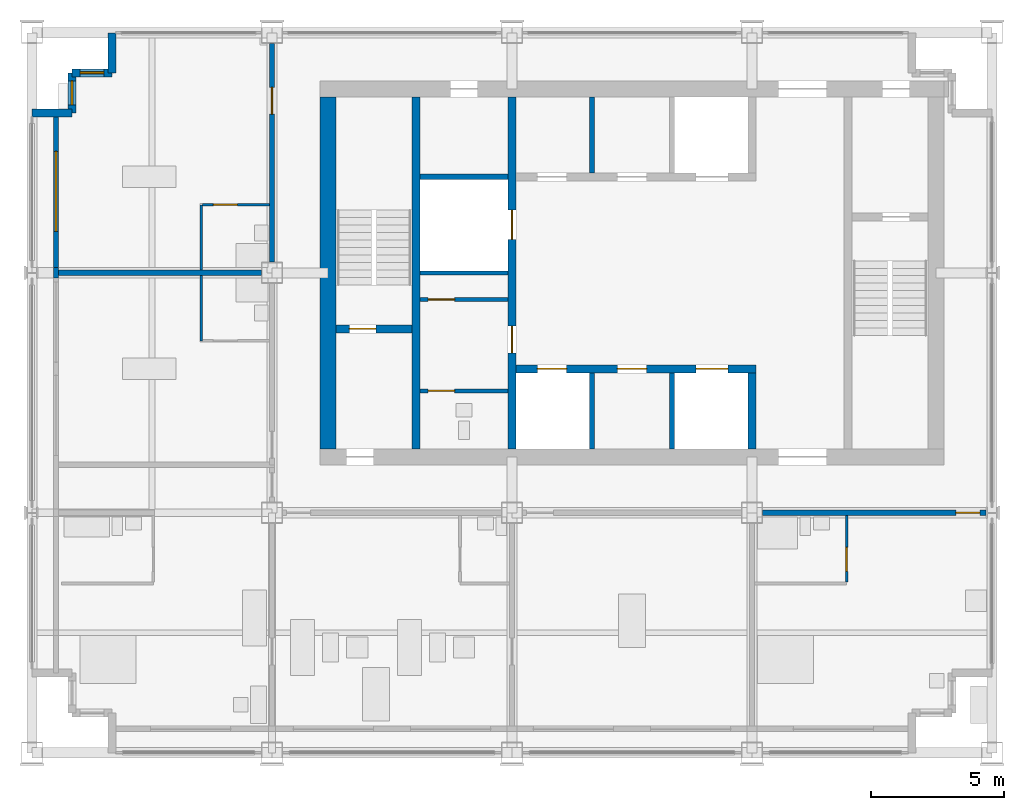
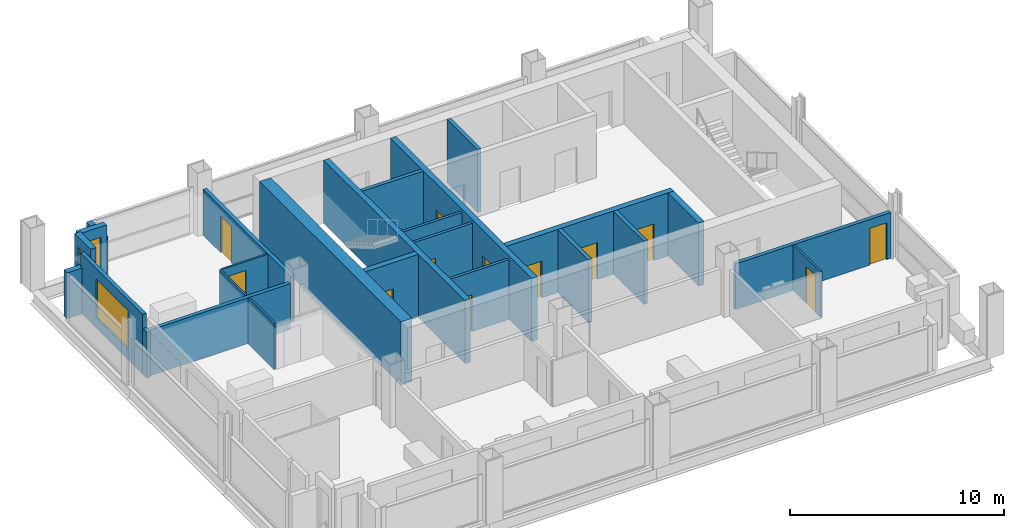
# One storey, part 7 of 11: 26 walls, 12 doors, 3 windows, 15 openings.
"""IFC4 building model written with IfcOpenShell, lengths in metres."""

from ifc_helpers import new_model, si_unit, direction, frame, frame_2d, origin, place, context, subcontext, project, spatial, rectangle, extrude, material, layer, layer_set, type_object, element, fill, save


model = new_model("IFC4")

# Units and contexts
model_context = context("Model", 3, precision=1e-05, world=origin(), true_north=direction((0.0, 1.0)))
body_context = subcontext(model_context, "Body", "Model", "MODEL_VIEW")
ifc_project = project(units=[si_unit("LENGTHUNIT", "METRE"), si_unit("AREAUNIT", "SQUARE_METRE"), si_unit("VOLUMEUNIT", "CUBIC_METRE"), si_unit("PLANEANGLEUNIT", "RADIAN"), si_unit("MASSUNIT", "GRAM", prefix="KILO")], contexts=[model_context])

# Site, building, storey
site_placement = place(None, origin())
site = spatial("IfcSite", under=ifc_project, at=site_placement, CompositionType="ELEMENT")
building_placement = place(site_placement, origin())
building = spatial("IfcBuilding", under=site, at=building_placement, Name="Loomwork Tower", CompositionType="ELEMENT")
storey_placement = place(building_placement, frame((0.0, 0.0, 262.60009765625)))
storey = spatial("IfcBuildingStorey", under=building, at=storey_placement, Name="L72", CompositionType="ELEMENT", Elevation=262.60009765625)

# Wall
ifc_material_1 = material(Name="Concrete 14000 psi (97 MPa)", Category="concrete")
ifc_layer_1 = layer(ifc_material_1, 0.300048828125)
ifc_layer_set_1 = layer_set([ifc_layer_1], Name="Core shear wall 300")
wall_type_1 = type_object("IfcWallType", Name="Core shear wall 300", PredefinedType="SHEAR", material=ifc_layer_set_1)
wall_1_placement = place(storey_placement, frame((14.39990234375, 11.39990234375, 0.0), z_axis=(0.0, 0.0, 1.0), x_axis=(0.0, 1.0, 0.0)))
element("IfcWall", 1, at=wall_1_placement, inside=storey, type_object=wall_type_1, Name="Stair A east wall L72", PredefinedType="SHEAR", context=body_context, shape_type="SweptSolid", body=[
    extrude(rectangle(XDim=13.2001953125, YDim=0.300048828125, at=frame_2d((6.60009765625, 0.0))), origin(), (0.0, 0.0, 1.0), 3.599853515625),
])

# Wall, opening, door
wall_2_placement = place(storey_placement, frame((11.39990234375, 15.89990234375, 0.0), z_axis=(0.0, 0.0, 1.0), x_axis=(1.0, 0.0, 0.0)))
wall_2 = element("IfcWall", 2, at=wall_2_placement, inside=storey, type_object=wall_type_1, Name="Stair A south wall L72", PredefinedType="SHEAR", context=body_context, shape_type="SweptSolid", body=[
    extrude(rectangle(XDim=2.85009765625, YDim=0.300048828125, at=frame_2d((1.425048828125, 0.0))), origin(), (0.0, 0.0, 1.0), 3.599853515625),
])
opening_1_placement = place(wall_2_placement, frame((0.5, 0.0, 0.0)))
opening_1 = element("IfcOpeningElement", 3, at=opening_1_placement, cuts=wall_2, Name="Opening D4", PredefinedType="OPENING", context=body_context, shape_type="SweptSolid", body=[
    extrude(rectangle(XDim=1.0, YDim=2.10009765625, at=frame_2d((0.5, 1.050048828125))), frame((0.0, 0.159912109375, 0.0), z_axis=(0.0, -1.0, 0.0), x_axis=(1.0, 0.0, 0.0)), (0.0, 0.0, 1.0), 0.320068359375),
])
ifc_material_2 = material(Name="Hollow metal door and frame")
door_type_1 = type_object("IfcDoorType", Name="Stair door 1000", OperationType="SINGLE_SWING_RIGHT", PredefinedType="DOOR", material=ifc_material_2)
door_1_placement = place(opening_1_placement, origin())
door_1 = element("IfcDoor", 4, at=door_1_placement, inside=storey, type_object=door_type_1, Name="Stair A door", OperationType="SINGLE_SWING_LEFT", OverallHeight=2.10009765625, OverallWidth=1.0, PredefinedType="DOOR", context=body_context, shape_type="SweptSolid", body=[
    extrude(rectangle(XDim=1.0, YDim=2.10009765625, at=frame_2d((0.5, 1.050048828125))), frame((0.0, 0.02490234375, 0.0), z_axis=(0.0, -1.0, 0.0), x_axis=(1.0, 0.0, 0.0)), (0.0, 0.0, 1.0), 0.050048828125),
])
fill(opening_1, door_1)

# Wall, openings, doors
wall_3_placement = place(storey_placement, frame((18.0, 11.39990234375, 0.0), z_axis=(0.0, 0.0, 1.0), x_axis=(0.0, 1.0, 0.0)))
wall_3 = element("IfcWall", 5, at=wall_3_placement, inside=storey, type_object=wall_type_1, Name="Lobby west wall L72", PredefinedType="SHEAR", context=body_context, shape_type="SweptSolid", body=[
    extrude(rectangle(XDim=13.2001953125, YDim=0.300048828125, at=frame_2d((6.60009765625, 0.0))), origin(), (0.0, 0.0, 1.0), 3.599853515625),
])
opening_2_placement = place(wall_3_placement, frame((3.60009765625, 0.0, 0.0)))
opening_2 = element("IfcOpeningElement", 6, at=opening_2_placement, cuts=wall_3, Name="Opening D5", PredefinedType="OPENING", context=body_context, shape_type="SweptSolid", body=[
    extrude(rectangle(XDim=1.0, YDim=2.10009765625, at=frame_2d((0.5, 1.050048828125))), frame((0.0, 0.159912109375, 0.0), z_axis=(0.0, -1.0, 0.0), x_axis=(1.0, 0.0, 0.0)), (0.0, 0.0, 1.0), 0.320068359375),
])
opening_3_placement = place(wall_3_placement, frame((7.85009765625, 0.0, 0.0)))
opening_3 = element("IfcOpeningElement", 7, at=opening_3_placement, cuts=wall_3, Name="Opening LD1", PredefinedType="OPENING", context=body_context, shape_type="SweptSolid", body=[
    extrude(rectangle(XDim=1.10009765625, YDim=2.10009765625, at=frame_2d((0.550048828125, 1.050048828125))), frame((0.0, 0.159912109375, 0.0), z_axis=(0.0, -1.0, 0.0), x_axis=(1.0, 0.0, 0.0)), (0.0, 0.0, 1.0), 0.320068359375),
])
ifc_material_3 = material(Name="Hollow metal door and frame")
door_type_2 = type_object("IfcDoorType", Name="Lift landing door 1100", OperationType="SLIDING_TO_LEFT", PredefinedType="DOOR", material=ifc_material_3)
door_2_placement = place(opening_3_placement, origin())
door_2 = element("IfcDoor", 8, at=door_2_placement, inside=storey, type_object=door_type_2, Name="Lift landing door LC2", OperationType="SLIDING_TO_LEFT", OverallHeight=2.10009765625, OverallWidth=1.10009765625, PredefinedType="DOOR", context=body_context, shape_type="SweptSolid", body=[
    extrude(rectangle(XDim=1.10009765625, YDim=2.10009765625, at=frame_2d((0.550048828125, 1.050048828125))), frame((0.0, 0.02490234375, 0.0), z_axis=(0.0, -1.0, 0.0), x_axis=(1.0, 0.0, 0.0)), (0.0, 0.0, 1.0), 0.050048828125),
])
fill(opening_3, door_2)
ifc_material_4 = material(Name="Hollow metal door and frame")
door_type_3 = type_object("IfcDoorType", Name="Service door 1000", OperationType="SINGLE_SWING_LEFT", PredefinedType="DOOR", material=ifc_material_4)
door_3_placement = place(opening_2_placement, origin())
door_3 = element("IfcDoor", 9, at=door_3_placement, inside=storey, type_object=door_type_3, Name="Back-of-house door south", OperationType="SINGLE_SWING_LEFT", OverallHeight=2.10009765625, OverallWidth=1.0, PredefinedType="DOOR", context=body_context, shape_type="SweptSolid", body=[
    extrude(rectangle(XDim=1.0, YDim=2.10009765625, at=frame_2d((0.5, 1.050048828125))), frame((0.0, 0.02490234375, 0.0), z_axis=(0.0, -1.0, 0.0), x_axis=(1.0, 0.0, 0.0)), (0.0, 0.0, 1.0), 0.050048828125),
])
fill(opening_2, door_3)

wall_4_placement = place(storey_placement, frame((18.14990234375, 14.39990234375, 0.0), z_axis=(0.0, 0.0, 1.0), x_axis=(1.0, 0.0, 0.0)))
wall_4 = element("IfcWall", 10, at=wall_4_placement, inside=storey, type_object=wall_type_1, Name="Lift front wall south L72", PredefinedType="SHEAR", context=body_context, shape_type="SweptSolid", body=[
    extrude(rectangle(XDim=9.0, YDim=0.300048828125, at=frame_2d((4.5, 0.0))), origin(), (0.0, 0.0, 1.0), 3.599853515625),
])
opening_4_placement = place(wall_4_placement, frame((0.800048828125, 0.0, 0.0)))
opening_4 = element("IfcOpeningElement", 11, at=opening_4_placement, cuts=wall_4, Name="Opening LD1", PredefinedType="OPENING", context=body_context, shape_type="SweptSolid", body=[
    extrude(rectangle(XDim=1.10009765625, YDim=2.10009765625, at=frame_2d((0.550048828125, 1.050048828125))), frame((0.0, 0.159912109375, 0.0), z_axis=(0.0, -1.0, 0.0), x_axis=(1.0, 0.0, 0.0)), (0.0, 0.0, 1.0), 0.320068359375),
])
opening_5_placement = place(wall_4_placement, frame((6.75, 0.0, 0.0)))
opening_5 = element("IfcOpeningElement", 12, at=opening_5_placement, cuts=wall_4, Name="Opening LD2", PredefinedType="OPENING", context=body_context, shape_type="SweptSolid", body=[
    extrude(rectangle(XDim=1.199951171875, YDim=2.10009765625, at=frame_2d((0.60009765625, 1.050048828125))), frame((0.0, 0.159912109375, 0.0), z_axis=(0.0, -1.0, 0.0), x_axis=(1.0, 0.0, 0.0)), (0.0, 0.0, 1.0), 0.320068359375),
])
opening_6_placement = place(wall_4_placement, frame((3.800048828125, 0.0, 0.0)))
opening_6 = element("IfcOpeningElement", 13, at=opening_6_placement, cuts=wall_4, Name="Opening D17", PredefinedType="OPENING", context=body_context, shape_type="SweptSolid", body=[
    extrude(rectangle(XDim=1.10009765625, YDim=2.10009765625, at=frame_2d((0.550048828125, 1.050048828125))), frame((0.0, 0.159912109375, 0.0), z_axis=(0.0, -1.0, 0.0), x_axis=(1.0, 0.0, 0.0)), (0.0, 0.0, 1.0), 0.320068359375),
])
door_4_placement = place(opening_4_placement, origin())
door_4 = element("IfcDoor", 14, at=door_4_placement, inside=storey, type_object=door_type_2, Name="Lift landing door LC1", OperationType="SLIDING_TO_LEFT", OverallHeight=2.10009765625, OverallWidth=1.10009765625, PredefinedType="DOOR", context=body_context, shape_type="SweptSolid", body=[
    extrude(rectangle(XDim=1.10009765625, YDim=2.10009765625, at=frame_2d((0.550048828125, 1.050048828125))), frame((0.0, 0.02490234375, 0.0), z_axis=(0.0, -1.0, 0.0), x_axis=(1.0, 0.0, 0.0)), (0.0, 0.0, 1.0), 0.050048828125),
])
fill(opening_4, door_4)
ifc_material_5 = material(Name="Hollow metal door and frame")
door_type_4 = type_object("IfcDoorType", Name="Lift landing door 1200", OperationType="SLIDING_TO_LEFT", PredefinedType="DOOR", material=ifc_material_5)
door_5_placement = place(opening_5_placement, origin())
door_5 = element("IfcDoor", 15, at=door_5_placement, inside=storey, type_object=door_type_4, Name="Lift landing door LF1", OperationType="SLIDING_TO_LEFT", OverallHeight=2.10009765625, OverallWidth=1.199951171875, PredefinedType="DOOR", context=body_context, shape_type="SweptSolid", body=[
    extrude(rectangle(XDim=1.199951171875, YDim=2.10009765625, at=frame_2d((0.60009765625, 1.050048828125))), frame((0.0, 0.02490234375, 0.0), z_axis=(0.0, -1.0, 0.0), x_axis=(1.0, 0.0, 0.0)), (0.0, 0.0, 1.0), 0.050048828125),
])
fill(opening_5, door_5)
ifc_material_6 = material(Name="Hollow metal door and frame")
door_type_5 = type_object("IfcDoorType", Name="Service room door 1100", OperationType="SINGLE_SWING_LEFT", PredefinedType="DOOR", material=ifc_material_6)
door_6_placement = place(opening_6_placement, frame((1.10009765625, 0.0, 0.0), z_axis=(0.0, 0.0, 1.0), x_axis=(-1.0, 0.0, 0.0)))
door_6 = element("IfcDoor", 16, at=door_6_placement, inside=storey, type_object=door_type_5, Name="Storage room door L72", OperationType="SINGLE_SWING_RIGHT", OverallHeight=2.10009765625, OverallWidth=1.10009765625, PredefinedType="DOOR", context=body_context, shape_type="SweptSolid", body=[
    extrude(rectangle(XDim=1.10009765625, YDim=2.10009765625, at=frame_2d((0.550048828125, 1.050048828125))), frame((0.0, 0.02490234375, 0.0), z_axis=(0.0, -1.0, 0.0), x_axis=(1.0, 0.0, 0.0)), (0.0, 0.0, 1.0), 0.050048828125),
])
fill(opening_6, door_6)

# Walls
wall_5_placement = place(storey_placement, frame((27.0, 11.39990234375, 0.0), z_axis=(0.0, 0.0, 1.0), x_axis=(0.0, 1.0, 0.0)))
element("IfcWall", 17, at=wall_5_placement, inside=storey, type_object=wall_type_1, Name="Lift shaft end wall south L72", PredefinedType="SHEAR", context=body_context, shape_type="SweptSolid", body=[
    extrude(rectangle(XDim=2.85009765625, YDim=0.300048828125, at=frame_2d((1.425048828125, 0.0))), origin(), (0.0, 0.0, 1.0), 3.599853515625),
])
ifc_material_7 = material(Name="Concrete 14000 psi (97 MPa)", Category="concrete")
ifc_layer_2 = layer(ifc_material_7, 0.60009765625)
ifc_layer_set_2 = layer_set([ifc_layer_2], Name="Core shear wall 600")
wall_type_2 = type_object("IfcWallType", Name="Core shear wall 600", PredefinedType="SHEAR", material=ifc_layer_set_2)
wall_6_placement = place(storey_placement, frame((11.10009765625, 11.39990234375, 0.0), z_axis=(0.0, 0.0, 1.0), x_axis=(0.0, 1.0, 0.0)))
element("IfcWall", 18, at=wall_6_placement, inside=storey, type_object=wall_type_2, Name="Core wall west L72", PredefinedType="SHEAR", context=body_context, shape_type="SweptSolid", body=[
    extrude(rectangle(XDim=13.2001953125, YDim=0.60009765625, at=frame_2d((6.60009765625, 0.0))), origin(), (0.0, 0.0, 1.0), 3.599853515625),
])

# Wall, opening, door
ifc_material_8 = material(Name="Gypsum board on steel studs, one-hour", Category="steel")
ifc_layer_3 = layer(ifc_material_8, 0.199951171875)
ifc_layer_set_3 = layer_set([ifc_layer_3], Name="Corridor wall 200")
wall_type_3 = type_object("IfcWallType", Name="Corridor wall 200", PredefinedType="PARTITIONING", material=ifc_layer_set_3)
wall_7_placement = place(storey_placement, frame((27.39990234375, 9.0, 0.0), z_axis=(0.0, 0.0, 1.0), x_axis=(1.0, 0.0, 0.0)))
wall_7 = element("IfcWall", 19, at=wall_7_placement, inside=storey, type_object=wall_type_3, Name="South corridor wall 4", PredefinedType="PARTITIONING", context=body_context, shape_type="SweptSolid", body=[
    extrude(rectangle(XDim=8.377685546875, YDim=0.199951171875, at=frame_2d((4.18896484375, 0.0))), origin(), (0.0, 0.0, 1.0), 2.60498046875),
])
opening_7_placement = place(wall_7_placement, frame((7.25, 0.0, 0.0)))
opening_7 = element("IfcOpeningElement", 20, at=opening_7_placement, cuts=wall_7, Name="Opening D1", PredefinedType="OPENING", context=body_context, shape_type="SweptSolid", body=[
    extrude(rectangle(XDim=0.89990234375, YDim=2.10009765625, at=frame_2d((0.449951171875, 1.050048828125))), frame((0.0, 0.10986328125, 0.0), z_axis=(0.0, -1.0, 0.0), x_axis=(1.0, 0.0, 0.0)), (0.0, 0.0, 1.0), 0.219970703125),
])
ifc_material_9 = material(Name="Hollow metal door and frame")
door_type_6 = type_object("IfcDoorType", Name="Guest room entry door 900", OperationType="SINGLE_SWING_LEFT", PredefinedType="DOOR", material=ifc_material_9)
door_7_placement = place(opening_7_placement, frame((0.89990234375, 0.0, 0.0), z_axis=(0.0, 0.0, 1.0), x_axis=(-1.0, 0.0, 0.0)))
door_7 = element("IfcDoor", 21, at=door_7_placement, inside=storey, type_object=door_type_6, Name="Guest room entry door L72 4", OperationType="SINGLE_SWING_RIGHT", OverallHeight=2.10009765625, OverallWidth=0.89990234375, PredefinedType="DOOR", context=body_context, shape_type="SweptSolid", body=[
    extrude(rectangle(XDim=0.89990234375, YDim=2.10009765625, at=frame_2d((0.449951171875, 1.050048828125))), frame((0.0, 0.02490234375, 0.0), z_axis=(0.0, -1.0, 0.0), x_axis=(1.0, 0.0, 0.0)), (0.0, 0.0, 1.0), 0.050048828125),
])
fill(opening_7, door_7)

wall_8_placement = place(storey_placement, frame((9.0, 18.39990234375, 0.0), z_axis=(0.0, 0.0, 1.0), x_axis=(0.0, 1.0, 0.0)))
wall_8 = element("IfcWall", 22, at=wall_8_placement, inside=storey, type_object=wall_type_3, Name="West corridor wall 2", PredefinedType="PARTITIONING", context=body_context, shape_type="SweptSolid", body=[
    extrude(rectangle(XDim=8.2001953125, YDim=0.199951171875, at=frame_2d((4.10009765625, 0.0))), origin(), (0.0, 0.0, 1.0), 2.60498046875),
])
opening_8_placement = place(wall_8_placement, frame((5.550048828125, 0.0, 0.0)))
opening_8 = element("IfcOpeningElement", 23, at=opening_8_placement, cuts=wall_8, Name="Opening D15", PredefinedType="OPENING", context=body_context, shape_type="SweptSolid", body=[
    extrude(rectangle(XDim=1.0, YDim=2.10009765625, at=frame_2d((0.5, 1.050048828125))), frame((0.0, 0.10986328125, 0.0), z_axis=(0.0, -1.0, 0.0), x_axis=(1.0, 0.0, 0.0)), (0.0, 0.0, 1.0), 0.219970703125),
])
ifc_material_10 = material(Name="Hollow metal door and frame")
door_type_7 = type_object("IfcDoorType", Name="Fire-rated room door 1000", OperationType="SINGLE_SWING_LEFT", PredefinedType="DOOR", material=ifc_material_10)
door_8_placement = place(opening_8_placement, origin())
door_8 = element("IfcDoor", 24, at=door_8_placement, inside=storey, type_object=door_type_7, Name="Spa treatment room door L72 6", OperationType="SINGLE_SWING_RIGHT", OverallHeight=2.10009765625, OverallWidth=1.0, PredefinedType="DOOR", context=body_context, shape_type="SweptSolid", body=[
    extrude(rectangle(XDim=1.0, YDim=2.10009765625, at=frame_2d((0.5, 1.050048828125))), frame((0.0, 0.02490234375, 0.0), z_axis=(0.0, -1.0, 0.0), x_axis=(1.0, 0.0, 0.0)), (0.0, 0.0, 1.0), 0.050048828125),
])
fill(opening_8, door_8)

ifc_material_11 = material(Name="Cement board on steel studs", Category="steel")
ifc_layer_4 = layer(ifc_material_11, 0.10009765625)
ifc_layer_set_4 = layer_set([ifc_layer_4], Name="En-suite partition 100")
wall_type_4 = type_object("IfcWallType", Name="En-suite partition 100", PredefinedType="PARTITIONING", material=ifc_layer_set_4)
wall_9_placement = place(storey_placement, frame((30.550048828125, 8.89990234375, 0.0), z_axis=(0.0, 0.0, 1.0), x_axis=(0.0, -1.0, 0.0)))
wall_9 = element("IfcWall", 25, at=wall_9_placement, inside=storey, type_object=wall_type_4, Name="En-suite side wall L72 room 4", PredefinedType="PARTITIONING", context=body_context, shape_type="SweptSolid", body=[
    extrude(rectangle(XDim=2.5, YDim=0.10009765625, at=frame_2d((1.25, 0.0))), origin(), (0.0, 0.0, 1.0), 2.60400390625),
])
opening_9_placement = place(wall_9_placement, frame((1.199951171875, 0.0, 0.0)))
opening_9 = element("IfcOpeningElement", 26, at=opening_9_placement, cuts=wall_9, Name="Opening D3", PredefinedType="OPENING", context=body_context, shape_type="SweptSolid", body=[
    extrude(rectangle(XDim=0.89990234375, YDim=2.10009765625, at=frame_2d((0.449951171875, 1.050048828125))), frame((0.0, 0.06005859375, 0.0), z_axis=(0.0, -1.0, 0.0), x_axis=(1.0, 0.0, 0.0)), (0.0, 0.0, 1.0), 0.1201171875),
])
ifc_material_12 = material(Name="Hollow metal door and frame")
door_type_8 = type_object("IfcDoorType", Name="Accessible en-suite door 900", OperationType="SLIDING_TO_LEFT", PredefinedType="DOOR", material=ifc_material_12)
door_9_placement = place(opening_9_placement, origin())
door_9 = element("IfcDoor", 27, at=door_9_placement, inside=storey, type_object=door_type_8, Name="Accessible en-suite door room 4", OperationType="SLIDING_TO_LEFT", OverallHeight=2.10009765625, OverallWidth=0.89990234375, PredefinedType="DOOR", context=body_context, shape_type="SweptSolid", body=[
    extrude(rectangle(XDim=0.89990234375, YDim=2.10009765625, at=frame_2d((0.449951171875, 1.050048828125))), frame((0.0, 0.02490234375, 0.0), z_axis=(0.0, -1.0, 0.0), x_axis=(1.0, 0.0, 0.0)), (0.0, 0.0, 1.0), 0.050048828125),
])
fill(opening_9, door_9)

# Walls
for number, where, z_axis, x_axis, name in (
    (28, (6.35009765625, 15.449951171875, 0.0), (0.0, 0.0, 1.0), (0.0, 1.0, 0.0), "En-suite wall L72 room 5"),
    (29, (6.35009765625, 18.10009765625, 0.0), (0.0, 0.0, 1.0), (0.0, 1.0, 0.0), "En-suite wall L72 room 6"),
):
    element("IfcWall", number, at=place(storey_placement, frame(where, z_axis=z_axis, x_axis=x_axis)), inside=storey, type_object=wall_type_4, Name=name, PredefinedType="PARTITIONING", context=body_context, shape_type="SweptSolid", body=[
        extrude(rectangle(XDim=2.449951171875, YDim=0.10009765625, at=frame_2d((1.22509765625, 0.0))), origin(), (0.0, 0.0, 1.0), 2.60400390625),
    ])

# Wall, opening, door
wall_10_placement = place(storey_placement, frame((8.89990234375, 20.550048828125, 0.0), z_axis=(0.0, 0.0, 1.0), x_axis=(-1.0, 0.0, 0.0)))
wall_10 = element("IfcWall", 30, at=wall_10_placement, inside=storey, type_object=wall_type_4, Name="En-suite side wall L72 room 6", PredefinedType="PARTITIONING", context=body_context, shape_type="SweptSolid", body=[
    extrude(rectangle(XDim=2.5, YDim=0.10009765625, at=frame_2d((1.25, 0.0))), origin(), (0.0, 0.0, 1.0), 2.60400390625),
])
opening_10_placement = place(wall_10_placement, frame((1.199951171875, 0.0, 0.0)))
opening_10 = element("IfcOpeningElement", 31, at=opening_10_placement, cuts=wall_10, Name="Opening D2", PredefinedType="OPENING", context=body_context, shape_type="SweptSolid", body=[
    extrude(rectangle(XDim=0.89990234375, YDim=2.10009765625, at=frame_2d((0.449951171875, 1.050048828125))), frame((0.0, 0.06005859375, 0.0), z_axis=(0.0, -1.0, 0.0), x_axis=(1.0, 0.0, 0.0)), (0.0, 0.0, 1.0), 0.1201171875),
])
ifc_material_13 = material(Name="Hollow metal door and frame")
door_type_9 = type_object("IfcDoorType", Name="En-suite door 900", OperationType="SINGLE_SWING_LEFT", PredefinedType="DOOR", material=ifc_material_13)
door_10_placement = place(opening_10_placement, origin())
door_10 = element("IfcDoor", 32, at=door_10_placement, inside=storey, type_object=door_type_9, Name="Treatment shower room door room 6", OperationType="SINGLE_SWING_RIGHT", OverallHeight=2.10009765625, OverallWidth=0.89990234375, PredefinedType="DOOR", context=body_context, shape_type="SweptSolid", body=[
    extrude(rectangle(XDim=0.89990234375, YDim=2.10009765625, at=frame_2d((0.449951171875, 1.050048828125))), frame((0.0, 0.02490234375, 0.0), z_axis=(0.0, -1.0, 0.0), x_axis=(1.0, 0.0, 0.0)), (0.0, 0.0, 1.0), 0.050048828125),
])
fill(opening_10, door_10)

# Walls
ifc_material_14 = material(Name="Gypsum board on steel studs, acoustic", Category="steel")
ifc_layer_5 = layer(ifc_material_14, 0.199951171875)
ifc_layer_set_5 = layer_set([ifc_layer_5], Name="Guest room party wall 200")
wall_type_5 = type_object("IfcWallType", Name="Guest room party wall 200", PredefinedType="PARTITIONING", material=ifc_layer_set_5)
wall_11_placement = place(storey_placement, frame((8.60009765625, 18.0, 0.0), z_axis=(0.0, 0.0, 1.0), x_axis=(-1.0, 0.0, 0.0)))
element("IfcWall", 33, at=wall_11_placement, inside=storey, type_object=wall_type_5, Name="Guest room party wall W 18", PredefinedType="PARTITIONING", context=body_context, shape_type="SweptSolid", body=[
    extrude(rectangle(XDim=7.60009765625, YDim=0.199951171875, at=frame_2d((3.800048828125, 0.0))), origin(), (0.0, 0.0, 1.0), 2.60498046875),
])
ifc_material_15 = material(Name="Insulated steel stud wall with gypsum lining", Category="steel")
ifc_layer_6 = layer(ifc_material_15, 0.199951171875)
ifc_layer_set_6 = layer_set([ifc_layer_6], Name="Inner skin wall 200")
wall_type_6 = type_object("IfcWallType", Name="Inner skin wall 200", PredefinedType="SOLIDWALL", material=ifc_layer_set_6)
wall_12_placement = place(storey_placement, frame((0.89990234375, 17.80615234375, 0.0), z_axis=(0.0, 0.0, 1.0), x_axis=(0.0, 1.0, 0.0)))
element("IfcWall", 34, at=wall_12_placement, inside=storey, type_object=wall_type_6, Name="Inner skin wall W bay 6", PredefinedType="SOLIDWALL", context=body_context, shape_type="SweptSolid", body=[
    extrude(rectangle(XDim=0.3876953125, YDim=0.199951171875, at=frame_2d((0.19384765625, 0.0))), origin(), (0.0, 0.0, 1.0), 2.60400390625),
])

# Wall, opening, window
wall_13_placement = place(storey_placement, frame((0.89990234375, 18.19384765625, 0.0), z_axis=(0.0, 0.0, 1.0), x_axis=(0.0, 1.0, 0.0)))
wall_13 = element("IfcWall", 35, at=wall_13_placement, inside=storey, type_object=wall_type_6, Name="Inner skin wall W bay 7", PredefinedType="SOLIDWALL", context=body_context, shape_type="SweptSolid", body=[
    extrude(rectangle(XDim=5.80615234375, YDim=0.199951171875, at=frame_2d((2.903076171875, 0.0))), origin(), (0.0, 0.0, 1.0), 3.39990234375),
])
opening_11_placement = place(wall_13_placement, frame((1.356201171875, 0.0, 0.60009765625)))
opening_11 = element("IfcOpeningElement", 36, at=opening_11_placement, cuts=wall_13, Name="Opening CH1", PredefinedType="OPENING", context=body_context, shape_type="SweptSolid", body=[
    extrude(rectangle(XDim=3.0, YDim=2.199951171875, at=frame_2d((1.5, 1.10009765625))), frame((0.0, 0.10986328125, 0.0), z_axis=(0.0, -1.0, 0.0), x_axis=(1.0, 0.0, 0.0)), (0.0, 0.0, 1.0), 0.219970703125),
])
ifc_material_16 = material(Name="Aluminium frame with clear insulated glass", Category="aluminium")
window_type_1 = type_object("IfcWindowType", Name="Chicago window 3000", PartitioningType="TRIPLE_PANEL_VERTICAL", PredefinedType="WINDOW", material=ifc_material_16)
window_1_placement = place(opening_11_placement, origin())
window_1 = element("IfcWindow", 37, at=window_1_placement, inside=storey, type_object=window_type_1, Name="Chicago window L72 bay 6", OverallHeight=2.199951171875, OverallWidth=3.0, PartitioningType="TRIPLE_PANEL_VERTICAL", PredefinedType="WINDOW", context=body_context, shape_type="SweptSolid", body=[
    extrude(rectangle(XDim=3.0, YDim=2.199951171875, at=frame_2d((1.5, 1.10009765625))), frame((0.0, 0.030029296875, 0.0), z_axis=(0.0, -1.0, 0.0), x_axis=(1.0, 0.0, 0.0)), (0.0, 0.0, 1.0), 0.06005859375),
])
fill(opening_11, window_1)

# Walls
ifc_material_17 = material(Name="Concrete 14000 psi (97 MPa)", Category="concrete")
ifc_layer_7 = layer(ifc_material_17, 0.199951171875)
ifc_layer_set_7 = layer_set([ifc_layer_7], Name="Lift shaft wall 200")
wall_type_7 = type_object("IfcWallType", Name="Lift shaft wall 200", PredefinedType="SHEAR", material=ifc_layer_set_7)
for number, where, z_axis, x_axis, name in (
    (38, (21.0, 11.39990234375, 0.0), (0.0, 0.0, 1.0), (0.0, 1.0, 0.0), "Lift shaft separation wall south 1 L72"),
    (39, (24.0, 11.39990234375, 0.0), (0.0, 0.0, 1.0), (0.0, 1.0, 0.0), "Lift shaft separation wall south 2 L72"),
    (40, (21.0, 21.75, 0.0), (0.0, 0.0, 1.0), (0.0, 1.0, 0.0), "Lift shaft separation wall north 1 L72"),
):
    element("IfcWall", number, at=place(storey_placement, frame(where, z_axis=z_axis, x_axis=x_axis)), inside=storey, type_object=wall_type_7, Name=name, PredefinedType="SHEAR", context=body_context, shape_type="SweptSolid", body=[
        extrude(rectangle(XDim=2.85009765625, YDim=0.199951171875, at=frame_2d((1.425048828125, 0.0))), origin(), (0.0, 0.0, 1.0), 3.599853515625),
    ])
wall_14_placement = place(storey_placement, frame((14.550048828125, 21.60009765625, 0.0), z_axis=(0.0, 0.0, 1.0), x_axis=(1.0, 0.0, 0.0)))
element("IfcWall", 41, at=wall_14_placement, inside=storey, type_object=wall_type_7, Name="Lift shaft wall west north L72", PredefinedType="SHEAR", context=body_context, shape_type="SweptSolid", body=[
    extrude(rectangle(XDim=3.300048828125, YDim=0.199951171875, at=frame_2d((1.64990234375, 0.0))), origin(), (0.0, 0.0, 1.0), 3.599853515625),
])
ifc_material_18 = material(Name="Limestone on concrete masonry", Category="masonry")
ifc_layer_8 = layer(ifc_material_18, 0.300048828125)
ifc_layer_set_8 = layer_set([ifc_layer_8], Name="Limestone corner wall 300")
wall_type_8 = type_object("IfcWallType", Name="Limestone corner wall 300", PredefinedType="SOLIDWALL", material=ifc_layer_set_8)
wall_15_placement = place(storey_placement, frame((3.0, 27.0, 0.0), z_axis=(0.0, 0.0, 1.0), x_axis=(0.0, -1.0, 0.0)))
element("IfcWall", 42, at=wall_15_placement, inside=storey, type_object=wall_type_8, Name="Stone corner wall NW 1", PredefinedType="SOLIDWALL", context=body_context, shape_type="SweptSolid", body=[
    extrude(rectangle(XDim=1.5, YDim=0.300048828125, at=frame_2d((0.75, 0.0))), origin(), (0.0, 0.0, 1.0), 2.619873046875),
])

# Wall, opening, window
wall_16_placement = place(storey_placement, frame((3.0, 25.5, 0.0), z_axis=(0.0, 0.0, 1.0), x_axis=(-1.0, 0.0, 0.0)))
wall_16 = element("IfcWall", 43, at=wall_16_placement, inside=storey, type_object=wall_type_8, Name="Stone corner wall NW 2", PredefinedType="SOLIDWALL", context=body_context, shape_type="SweptSolid", body=[
    extrude(rectangle(XDim=1.5, YDim=0.300048828125, at=frame_2d((0.75, 0.0))), origin(), (0.0, 0.0, 1.0), 3.39990234375),
])
opening_12_placement = place(wall_16_placement, frame((0.300048828125, 0.0, 0.60009765625)))
opening_12 = element("IfcOpeningElement", 44, at=opening_12_placement, cuts=wall_16, Name="Opening CH2", PredefinedType="OPENING", context=body_context, shape_type="SweptSolid", body=[
    extrude(rectangle(XDim=0.89990234375, YDim=2.199951171875, at=frame_2d((0.449951171875, 1.10009765625))), frame((0.0, 0.159912109375, 0.0), z_axis=(0.0, -1.0, 0.0), x_axis=(1.0, 0.0, 0.0)), (0.0, 0.0, 1.0), 0.320068359375),
])
ifc_material_19 = material(Name="Aluminium frame with clear insulated glass", Category="aluminium")
window_type_2 = type_object("IfcWindowType", Name="Corner window 900", PartitioningType="SINGLE_PANEL", PredefinedType="WINDOW", material=ifc_material_19)
window_2_placement = place(opening_12_placement, origin())
window_2 = element("IfcWindow", 45, at=window_2_placement, inside=storey, type_object=window_type_2, Name="Corner window NW", OverallHeight=2.199951171875, OverallWidth=0.89990234375, PartitioningType="SINGLE_PANEL", PredefinedType="WINDOW", context=body_context, shape_type="SweptSolid", body=[
    extrude(rectangle(XDim=0.89990234375, YDim=2.199951171875, at=frame_2d((0.449951171875, 1.10009765625))), frame((0.0, 0.030029296875, 0.0), z_axis=(0.0, -1.0, 0.0), x_axis=(1.0, 0.0, 0.0)), (0.0, 0.0, 1.0), 0.06005859375),
])
fill(opening_12, window_2)

wall_17_placement = place(storey_placement, frame((1.5, 25.5, 0.0), z_axis=(0.0, 0.0, 1.0), x_axis=(0.0, -1.0, 0.0)))
wall_17 = element("IfcWall", 46, at=wall_17_placement, inside=storey, type_object=wall_type_8, Name="Stone corner wall NW 3", PredefinedType="SOLIDWALL", context=body_context, shape_type="SweptSolid", body=[
    extrude(rectangle(XDim=1.5, YDim=0.300048828125, at=frame_2d((0.75, 0.0))), origin(), (0.0, 0.0, 1.0), 3.39990234375),
])
opening_13_placement = place(wall_17_placement, frame((0.300048828125, 0.0, 0.60009765625)))
opening_13 = element("IfcOpeningElement", 47, at=opening_13_placement, cuts=wall_17, Name="Opening CH2", PredefinedType="OPENING", context=body_context, shape_type="SweptSolid", body=[
    extrude(rectangle(XDim=0.89990234375, YDim=2.199951171875, at=frame_2d((0.449951171875, 1.10009765625))), frame((0.0, 0.159912109375, 0.0), z_axis=(0.0, -1.0, 0.0), x_axis=(1.0, 0.0, 0.0)), (0.0, 0.0, 1.0), 0.320068359375),
])
window_3_placement = place(opening_13_placement, origin())
window_3 = element("IfcWindow", 48, at=window_3_placement, inside=storey, type_object=window_type_2, Name="Corner window NW", OverallHeight=2.199951171875, OverallWidth=0.89990234375, PartitioningType="SINGLE_PANEL", PredefinedType="WINDOW", context=body_context, shape_type="SweptSolid", body=[
    extrude(rectangle(XDim=0.89990234375, YDim=2.199951171875, at=frame_2d((0.449951171875, 1.10009765625))), frame((0.0, 0.030029296875, 0.0), z_axis=(0.0, -1.0, 0.0), x_axis=(1.0, 0.0, 0.0)), (0.0, 0.0, 1.0), 0.06005859375),
])
fill(opening_13, window_3)

# Walls
wall_18_placement = place(storey_placement, frame((1.5, 24.0, 0.0), z_axis=(0.0, 0.0, 1.0), x_axis=(-1.0, 0.0, 0.0)))
element("IfcWall", 49, at=wall_18_placement, inside=storey, type_object=wall_type_8, Name="Stone corner wall NW 4", PredefinedType="SOLIDWALL", context=body_context, shape_type="SweptSolid", body=[
    extrude(rectangle(XDim=1.5, YDim=0.300048828125, at=frame_2d((0.75, 0.0))), origin(), (0.0, 0.0, 1.0), 2.619873046875),
])
ifc_material_20 = material(Name="Gypsum board on steel studs", Category="steel")
ifc_layer_9 = layer(ifc_material_20, 0.14990234375)
ifc_layer_set_9 = layer_set([ifc_layer_9], Name="Partition 150 two-hour")
wall_type_9 = type_object("IfcWallType", Name="Partition 150 two-hour", PredefinedType="PARTITIONING", material=ifc_layer_set_9)
wall_19_placement = place(storey_placement, frame((14.550048828125, 18.0, 0.0), z_axis=(0.0, 0.0, 1.0), x_axis=(1.0, 0.0, 0.0)))
element("IfcWall", 50, at=wall_19_placement, inside=storey, type_object=wall_type_9, Name="Back-of-house dividing wall L72", PredefinedType="PARTITIONING", context=body_context, shape_type="SweptSolid", body=[
    extrude(rectangle(XDim=3.300048828125, YDim=0.14990234375, at=frame_2d((1.64990234375, 0.0))), origin(), (0.0, 0.0, 1.0), 3.39990234375),
])

# Wall, opening, door
ifc_material_21 = material(Name="Gypsum board on steel studs, one-hour", Category="steel")
ifc_layer_10 = layer(ifc_material_21, 0.14990234375)
ifc_layer_set_10 = layer_set([ifc_layer_10], Name="Service partition 150")
wall_type_10 = type_object("IfcWallType", Name="Service partition 150", PredefinedType="PARTITIONING", material=ifc_layer_set_10)
wall_20_placement = place(storey_placement, frame((14.550048828125, 17.0, 0.0), z_axis=(0.0, 0.0, 1.0), x_axis=(1.0, 0.0, 0.0)))
wall_20 = element("IfcWall", 51, at=wall_20_placement, inside=storey, type_object=wall_type_10, Name="Riser enclosure L72", PredefinedType="PARTITIONING", context=body_context, shape_type="SweptSolid", body=[
    extrude(rectangle(XDim=3.300048828125, YDim=0.14990234375, at=frame_2d((1.64990234375, 0.0))), origin(), (0.0, 0.0, 1.0), 3.39990234375),
])
opening_14_placement = place(wall_20_placement, frame((0.300048828125, 0.0, 0.0)))
opening_14 = element("IfcOpeningElement", 52, at=opening_14_placement, cuts=wall_20, Name="Opening D18", PredefinedType="OPENING", context=body_context, shape_type="SweptSolid", body=[
    extrude(rectangle(XDim=1.0, YDim=2.10009765625, at=frame_2d((0.5, 1.050048828125))), frame((0.0, 0.0849609375, 0.0), z_axis=(0.0, -1.0, 0.0), x_axis=(1.0, 0.0, 0.0)), (0.0, 0.0, 1.0), 0.169921875),
])
ifc_material_22 = material(Name="Hollow metal door and frame")
door_type_10 = type_object("IfcDoorType", Name="Ninety-minute service door 1000", OperationType="SINGLE_SWING_LEFT", PredefinedType="DOOR", material=ifc_material_22)
door_11_placement = place(opening_14_placement, frame((1.0, 0.0, 0.0), z_axis=(0.0, 0.0, 1.0), x_axis=(-1.0, 0.0, 0.0)))
door_11 = element("IfcDoor", 53, at=door_11_placement, inside=storey, type_object=door_type_10, Name="Riser access door", OperationType="SINGLE_SWING_RIGHT", OverallHeight=2.10009765625, OverallWidth=1.0, PredefinedType="DOOR", context=body_context, shape_type="SweptSolid", body=[
    extrude(rectangle(XDim=1.0, YDim=2.10009765625, at=frame_2d((0.5, 1.050048828125))), frame((0.0, 0.02490234375, 0.0), z_axis=(0.0, -1.0, 0.0), x_axis=(1.0, 0.0, 0.0)), (0.0, 0.0, 1.0), 0.050048828125),
])
fill(opening_14, door_11)

wall_21_placement = place(storey_placement, frame((14.550048828125, 13.574951171875, 0.0), z_axis=(0.0, 0.0, 1.0), x_axis=(1.0, 0.0, 0.0)))
wall_21 = element("IfcWall", 54, at=wall_21_placement, inside=storey, type_object=wall_type_10, Name="Back-of-house partition L72", PredefinedType="PARTITIONING", context=body_context, shape_type="SweptSolid", body=[
    extrude(rectangle(XDim=3.300048828125, YDim=0.14990234375, at=frame_2d((1.64990234375, 0.0))), origin(), (0.0, 0.0, 1.0), 3.39990234375),
])
opening_15_placement = place(wall_21_placement, frame((0.300048828125, 0.0, 0.0)))
opening_15 = element("IfcOpeningElement", 55, at=opening_15_placement, cuts=wall_21, Name="Opening D5", PredefinedType="OPENING", context=body_context, shape_type="SweptSolid", body=[
    extrude(rectangle(XDim=1.0, YDim=2.10009765625, at=frame_2d((0.5, 1.050048828125))), frame((0.0, 0.0849609375, 0.0), z_axis=(0.0, -1.0, 0.0), x_axis=(1.0, 0.0, 0.0)), (0.0, 0.0, 1.0), 0.169921875),
])
door_12_placement = place(opening_15_placement, frame((1.0, 0.0, 0.0), z_axis=(0.0, 0.0, 1.0), x_axis=(-1.0, 0.0, 0.0)))
door_12 = element("IfcDoor", 56, at=door_12_placement, inside=storey, type_object=door_type_3, Name="Back-of-house room door", OperationType="SINGLE_SWING_RIGHT", OverallHeight=2.10009765625, OverallWidth=1.0, PredefinedType="DOOR", context=body_context, shape_type="SweptSolid", body=[
    extrude(rectangle(XDim=1.0, YDim=2.10009765625, at=frame_2d((0.5, 1.050048828125))), frame((0.0, 0.02490234375, 0.0), z_axis=(0.0, -1.0, 0.0), x_axis=(1.0, 0.0, 0.0)), (0.0, 0.0, 1.0), 0.050048828125),
])
fill(opening_15, door_12)

save(model, "model.ifc")
